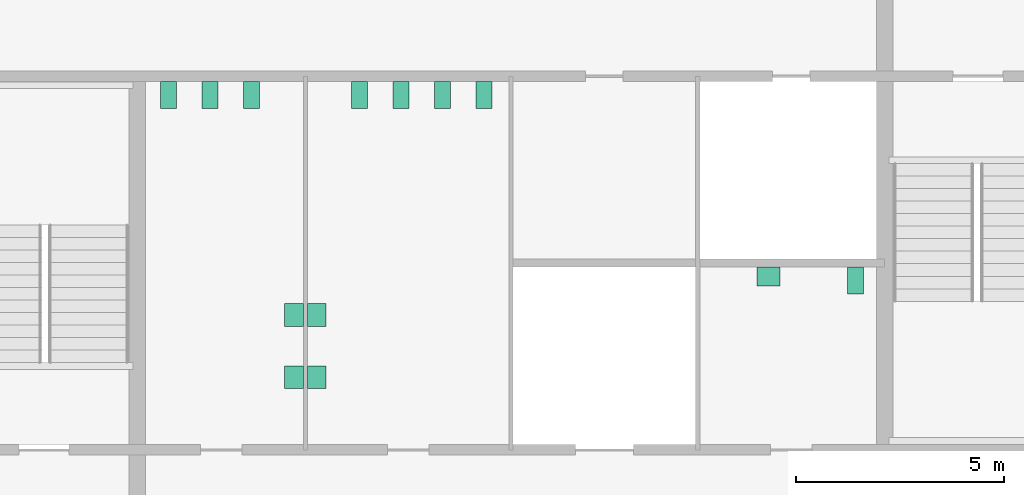
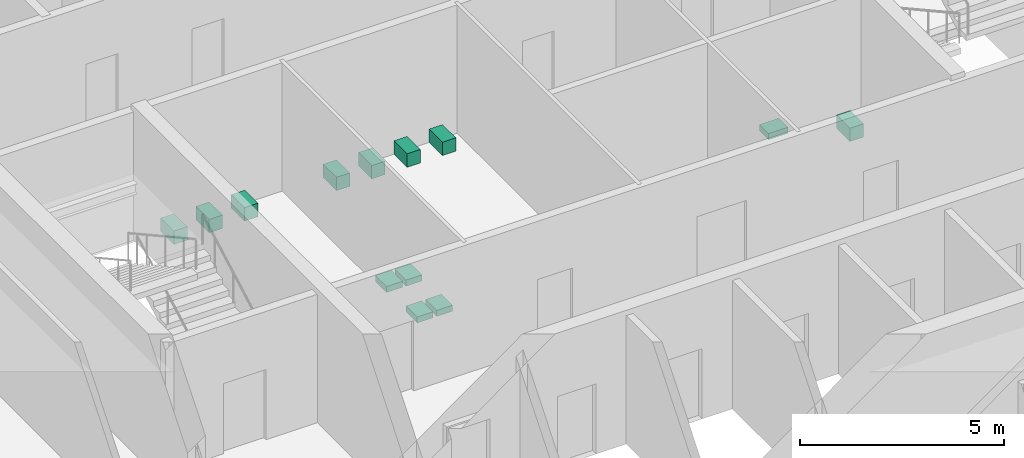
# One storey, part 12 of 12: 13 sanitary terminals.
"""IFC4 building model written with IfcOpenShell, lengths in metres."""

from ifc_helpers import new_model, si_unit, direction, frame, origin, origin_2d, place, context, subcontext, project, spatial, rectangle, extrude, material, type_object, element, save


model = new_model("IFC4")

# Units and contexts
model_context = context("Model", 3, precision=1e-05, world=origin(), true_north=direction((0.0, 1.0)))
body_context = subcontext(model_context, "Body", "Model", "MODEL_VIEW")
ifc_project = project(units=[si_unit("LENGTHUNIT", "METRE"), si_unit("AREAUNIT", "SQUARE_METRE"), si_unit("VOLUMEUNIT", "CUBIC_METRE"), si_unit("PLANEANGLEUNIT", "RADIAN"), si_unit("MASSUNIT", "GRAM", prefix="KILO")], contexts=[model_context])

# Site, building, storey
site_placement = place(None, origin())
site = spatial("IfcSite", under=ifc_project, at=site_placement, CompositionType="ELEMENT")
building_placement = place(site_placement, origin())
building = spatial("IfcBuilding", under=site, at=building_placement, Name="Corais Broadcast Tower", CompositionType="ELEMENT")
storey_placement = place(building_placement, frame((0.0, 0.0, 183.60009765625)))
storey = spatial("IfcBuildingStorey", under=building, at=storey_placement, Name="L42", CompositionType="ELEMENT", Elevation=183.60009765625)

# Sanitary terminals
ifc_material_1 = material(Name="Vitreous china", Category="ceramic")
sanitary_terminal_type_1 = type_object("IfcSanitaryTerminalType", Name="WC pan 380x650", PredefinedType="TOILETPAN", material=ifc_material_1)
for number, where, z_axis, x_axis, name in (
    (1, (18.75, 31.050048828125, 0.0), (0.0, 0.0, 1.0), (1.0, 0.0, 0.0), "SW1 WC pan, male toilets L42"),
    (2, (19.75, 31.050048828125, 0.0), (0.0, 0.0, 1.0), (1.0, 0.0, 0.0), "SW1 WC pan, male toilets L42"),
    (3, (20.75, 31.050048828125, 0.0), (0.0, 0.0, 1.0), (1.0, 0.0, 0.0), "SW1 WC pan, male toilets L42"),
    (4, (23.35009765625, 31.050048828125, 0.0), (0.0, 0.0, 1.0), (1.0, 0.0, 0.0), "SW1 WC pan, female toilets L42"),
    (5, (24.35009765625, 31.050048828125, 0.0), (0.0, 0.0, 1.0), (1.0, 0.0, 0.0), "SW1 WC pan, female toilets L42"),
    (6, (25.35009765625, 31.050048828125, 0.0), (0.0, 0.0, 1.0), (1.0, 0.0, 0.0), "SW1 WC pan, female toilets L42"),
    (7, (26.35009765625, 31.050048828125, 0.0), (0.0, 0.0, 1.0), (1.0, 0.0, 0.0), "SW1 WC pan, female toilets L42"),
    (8, (35.300048828125, 26.574951171875, 0.0), (0.0, 0.0, 1.0), (1.0, 0.0, 0.0), "SW1 WC pan, accessible WC L42"),
):
    element("IfcSanitaryTerminal", number, at=place(storey_placement, frame(where, z_axis=z_axis, x_axis=x_axis)), inside=storey, type_object=sanitary_terminal_type_1, Name=name, PredefinedType="TOILETPAN", context=body_context, shape_type="SweptSolid", body=[
        extrude(rectangle(XDim=0.3798828125, YDim=0.64990234375, at=origin_2d()), origin(), (0.0, 0.0, 1.0), 0.39990234375),
    ])
ifc_material_2 = material(Name="Vitreous china", Category="ceramic")
sanitary_terminal_type_2 = type_object("IfcSanitaryTerminalType", Name="Wash basin 550x450", PredefinedType="WASHHANDBASIN", material=ifc_material_2)
for number, where, z_axis, x_axis, name in (
    (9, (21.77490234375, 24.25, 0.69970703125), (0.0, 0.0, 1.0), (1.0, 0.0, 0.0), "WB1 wash basin, male toilets L42"),
    (10, (21.77490234375, 25.75, 0.69970703125), (0.0, 0.0, 1.0), (1.0, 0.0, 0.0), "WB1 wash basin, male toilets L42"),
    (11, (22.324951171875, 24.25, 0.69970703125), (0.0, 0.0, 1.0), (1.0, 0.0, 0.0), "WB1 wash basin, female toilets L42"),
    (12, (22.324951171875, 25.75, 0.69970703125), (0.0, 0.0, 1.0), (1.0, 0.0, 0.0), "WB1 wash basin, female toilets L42"),
):
    element("IfcSanitaryTerminal", number, at=place(storey_placement, frame(where, z_axis=z_axis, x_axis=x_axis)), inside=storey, type_object=sanitary_terminal_type_2, Name=name, PredefinedType="WASHHANDBASIN", context=body_context, shape_type="SweptSolid", body=[
        extrude(rectangle(XDim=0.449951171875, YDim=0.550048828125, at=origin_2d()), origin(), (0.0, 0.0, 1.0), 0.179931640625),
    ])
sanitary_terminal_placement = place(storey_placement, frame((33.199951171875, 26.675048828125, 0.69970703125), z_axis=(0.0, 0.0, 1.0), x_axis=(1.0, 0.0, 0.0)))
element("IfcSanitaryTerminal", 13, at=sanitary_terminal_placement, inside=storey, type_object=sanitary_terminal_type_2, Name="WB1 wash basin, accessible WC L42", PredefinedType="WASHHANDBASIN", context=body_context, shape_type="SweptSolid", body=[
    extrude(rectangle(XDim=0.550048828125, YDim=0.449951171875, at=origin_2d()), origin(), (0.0, 0.0, 1.0), 0.179931640625),
])

save(model, "model.ifc")
